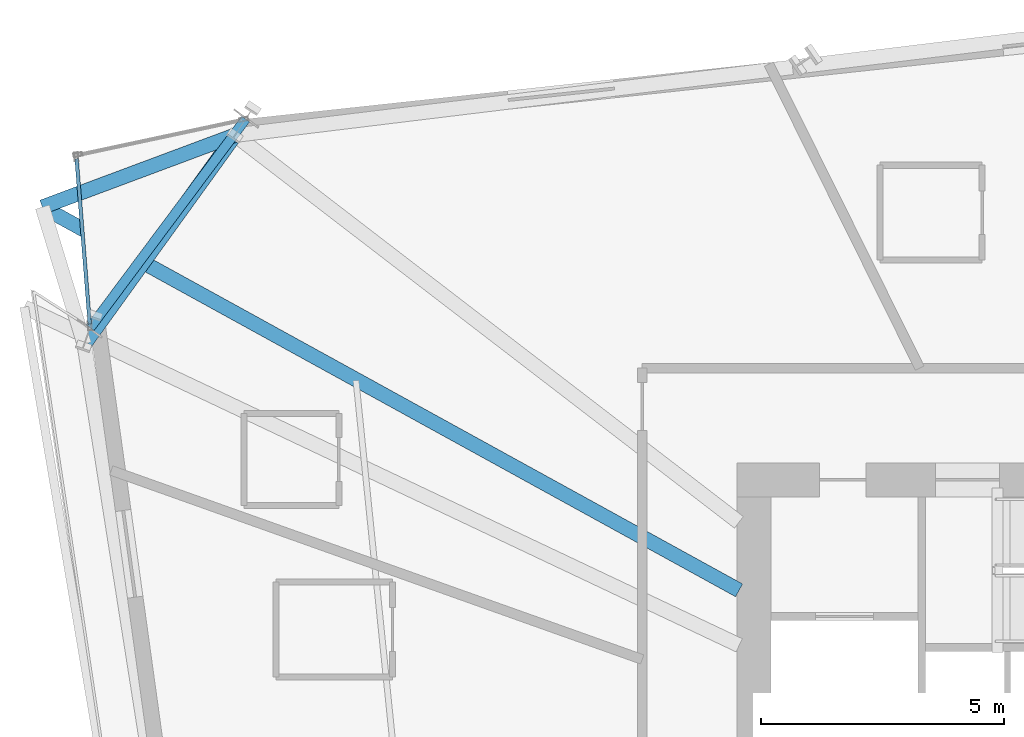
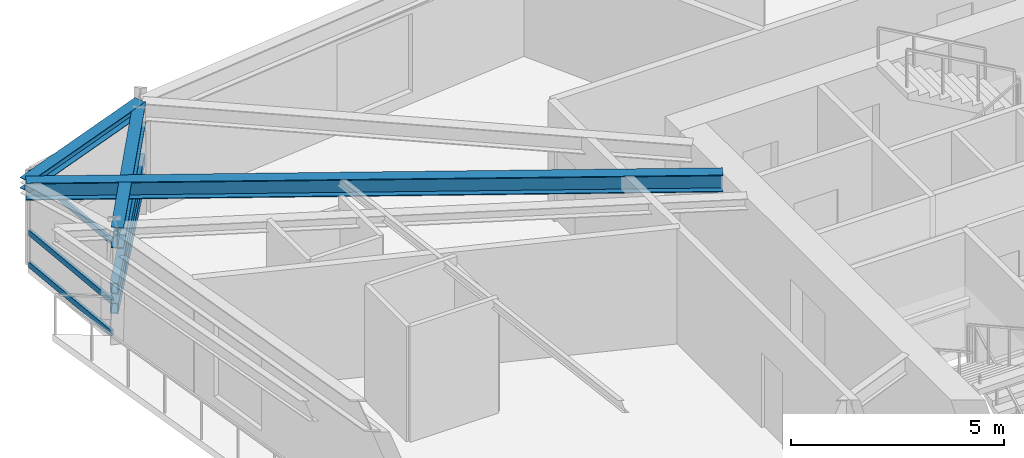
# One storey, part 7 of 18: 5 members, 3 beams, 1 element without a shape of its own.
"""IFC4 building model written with IfcOpenShell, lengths in metres."""

import ifcopenshell
import ifcopenshell.guid

model = None  # the IFC model being written
_history = None  # IfcOwnerHistory: only IFC2X3 demands one
_inside = {}  # id of a spatial element -> (the spatial element, [elements in it])
_under = {}  # id of a project, library or spatial element -> (it, [spatial elements below it])
_declared = {}  # id of a project -> (the project, [libraries it declares])
_typed = {}  # id of a type object -> (the type object, [elements of that type])
_made_of = {}  # id of a material, layer set ... -> (it, [elements and type objects made of it])


def new_model(schema):
    """Start an empty IFC model of exactly this schema.

    Asked for "IFC4X3", IfcOpenShell would pick the latest addendum, in which some entities
    have other attributes; the version numbers below select the first issue.
    IFC2X3 requires an IfcOwnerHistory on every rooted entity: one is made here for all.
    """
    global model, _history
    if schema == "IFC4X3":
        model = ifcopenshell.file(schema_version=(4, 3, 0, 0))
    else:
        model = ifcopenshell.file(schema=schema)
    _inside.clear()
    _under.clear()
    _declared.clear()
    _typed.clear()
    _made_of.clear()
    _history = None
    if model.schema == "IFC2X3":
        org = make("IfcOrganization", Name="unknown")
        user = make(
            "IfcPersonAndOrganization",
            ThePerson=make("IfcPerson", FamilyName="unknown"),
            TheOrganization=org,
        )
        app = make(
            "IfcApplication",
            ApplicationDeveloper=org,
            Version="unknown",
            ApplicationFullName="unknown",
            ApplicationIdentifier="unknown",
        )
        _history = make(
            "IfcOwnerHistory",
            OwningUser=user,
            OwningApplication=app,
            ChangeAction="ADDED",
            CreationDate=0,
        )
    return model


def make(cls, **values):
    """One entity of the class cls with the attributes given. An attribute that is None is left unset."""
    return model.create_entity(
        cls, **{name: value for name, value in values.items() if value is not None}
    )


def rooted(cls, **values):
    """An entity with a GlobalId (a new one), such as an element, a storey or a relation."""
    return make(cls, GlobalId=ifcopenshell.guid.new(), OwnerHistory=_history, **values)


def si_unit(unit_type, name, prefix=None):
    """IfcSIUnit, for example si_unit("LENGTHUNIT", "METRE", prefix="MILLI")."""
    return make("IfcSIUnit", UnitType=unit_type, Prefix=prefix, Name=name)


def assignment(units):
    """IfcUnitAssignment: the units of a project."""
    return None if units is None else make("IfcUnitAssignment", Units=units)


def point(xyz):
    """IfcCartesianPoint."""
    return None if xyz is None else make("IfcCartesianPoint", Coordinates=xyz)


def direction(xyz):
    """IfcDirection."""
    return None if xyz is None else make("IfcDirection", DirectionRatios=xyz)


def frame(location, z_axis=None, x_axis=None):
    """IfcAxis2Placement3D, a coordinate frame: its origin and axes. An axis left out is left unset."""
    return make(
        "IfcAxis2Placement3D",
        Location=point(location),
        Axis=direction(z_axis),
        RefDirection=direction(x_axis),
    )


def frame_2d(location, x_axis=None):
    """IfcAxis2Placement2D, a coordinate frame in the plane: its origin and x axis."""
    return make(
        "IfcAxis2Placement2D", Location=point(location), RefDirection=direction(x_axis)
    )


def origin():
    """The frame at (0, 0, 0) with its axes left unset."""
    return frame((0.0, 0.0, 0.0))


def origin_2d():
    """The frame at (0, 0) in the plane with its x axis left unset."""
    return frame_2d((0.0, 0.0))


def place(relative_to, where):
    """IfcLocalPlacement: puts the frame where relative to a parent placement (None: the world)."""
    return make(
        "IfcLocalPlacement", PlacementRelTo=relative_to, RelativePlacement=where
    )


def context(
    kind, dimensions, precision=None, world=None, true_north=None, identifier=None
):
    """IfcGeometricRepresentationContext, for example the 3D "Model" context."""
    return make(
        "IfcGeometricRepresentationContext",
        ContextIdentifier=identifier,
        ContextType=kind,
        CoordinateSpaceDimension=dimensions,
        Precision=precision,
        WorldCoordinateSystem=world,
        TrueNorth=true_north,
    )


def subcontext(parent, identifier, kind, view, scale=None):
    """IfcGeometricRepresentationSubContext, for example "Body" below "Model"."""
    return make(
        "IfcGeometricRepresentationSubContext",
        ContextIdentifier=identifier,
        ContextType=kind,
        ParentContext=parent,
        TargetScale=scale,
        TargetView=view,
    )


def project(units=None, contexts=None):
    """IfcProject with its units and contexts."""
    return rooted(
        "IfcProject",
        Name="project",
        RepresentationContexts=contexts,
        UnitsInContext=assignment(units),
    )


def spatial(cls, under=None, at=None, **own):
    """A site, building, storey or space (cls), placed at a placement, below another one or the project."""
    s = rooted(cls, ObjectPlacement=at, **own)
    if under is not None:
        _under.setdefault(under.id(), (under, []))[1].append(s)
    return s


def profile(cls, at=None, kind="AREA", **sizes):
    """A parametric profile (cls). Its sizes go by their IFC names, for example OverallWidth=200.0."""
    return make(cls, ProfileType=kind, Position=at, **sizes)


def hollow_rectangle(**sizes):
    """IfcRectangleHollowProfileDef."""
    return profile("IfcRectangleHollowProfileDef", **sizes)


def i_section(**sizes):
    """IfcIShapeProfileDef."""
    return profile("IfcIShapeProfileDef", **sizes)


def extrude(swept, where, along, depth):
    """IfcExtrudedAreaSolid: the profile swept, set in the frame where, extruded along a direction by depth."""
    return make(
        "IfcExtrudedAreaSolid",
        SweptArea=swept,
        Position=where,
        ExtrudedDirection=direction(along),
        Depth=depth,
    )


def shape(context_of_items, identifier, shape_type, items):
    """IfcShapeRepresentation: the items that make up one representation, for example the "Body"."""
    return make(
        "IfcShapeRepresentation",
        ContextOfItems=context_of_items,
        RepresentationIdentifier=identifier,
        RepresentationType=shape_type,
        Items=items,
    )


def source(mapping_origin, context_of_items, identifier, shape_type, items):
    """IfcRepresentationMap: a shape defined once, which mapped items show again and again."""
    return make(
        "IfcRepresentationMap",
        MappingOrigin=mapping_origin,
        MappedRepresentation=shape(context_of_items, identifier, shape_type, items),
    )


def transform(
    local_origin,
    x_axis=None,
    y_axis=None,
    z_axis=None,
    scale=None,
    scale2=None,
    scale3=None,
    uniform=True,
):
    """IfcCartesianTransformationOperator3D, or its non-uniform kind. x_axis, y_axis, z_axis: its Axis1, 2, 3."""
    if uniform:
        return make(
            "IfcCartesianTransformationOperator3D",
            Axis1=direction(x_axis),
            Axis2=direction(y_axis),
            LocalOrigin=point(local_origin),
            Scale=scale,
            Axis3=direction(z_axis),
        )
    return make(
        "IfcCartesianTransformationOperator3DnonUniform",
        Axis1=direction(x_axis),
        Axis2=direction(y_axis),
        LocalOrigin=point(local_origin),
        Scale=scale,
        Axis3=direction(z_axis),
        Scale2=scale2,
        Scale3=scale3,
    )


def mapped(mapping_source, mapping_target):
    """IfcMappedItem: shows the shape of a source again, moved by a transform."""
    return make(
        "IfcMappedItem", MappingSource=mapping_source, MappingTarget=mapping_target
    )


def material(Name=None, Category=None):
    """IfcMaterial."""
    return make("IfcMaterial", Name=Name, Category=Category)


def material_profile(
    of_material, cross_section, Name=None, Category=None, Priority=None
):
    """IfcMaterialProfile: a cross section and its material."""
    return make(
        "IfcMaterialProfile",
        Name=Name,
        Material=of_material,
        Profile=cross_section,
        Priority=Priority,
        Category=Category,
    )


def profile_set(profiles, Name=None, composite=None):
    """IfcMaterialProfileSet."""
    return make(
        "IfcMaterialProfileSet",
        Name=Name,
        MaterialProfiles=profiles,
        CompositeProfile=composite,
    )


def made_of(thing, what):
    """Note that an element or type object is made of a material, layer set ...; save() writes the relation."""
    if what is not None:
        _made_of.setdefault(what.id(), (what, []))[1].append(thing)
    return thing


def type_object(cls, material=None, **own):
    """A type object (cls), such as IfcWallType, which elements share."""
    return made_of(rooted(cls, **own), material)


def element(
    cls,
    number,
    at=None,
    inside=None,
    cuts=None,
    type_object=None,
    material=None,
    context=None,
    identifier="Body",
    shape_type=None,
    held_by="IfcProductDefinitionShape",
    body=None,
    shapes=None,
    **own,
):
    """One element of the class cls, such as IfcWall. Its Tag is "e" and its number.

    at: its placement. inside: the storey or other place that contains it. cuts: it is an
    opening in that element (IfcRelVoidsElement). A single representation is given by context,
    identifier, shape_type and body (its items); several are given by shapes. held_by: the class
    of the entity that holds the representations. save() writes the other relations.
    """
    e = rooted(cls, Tag="e%d" % number, ObjectPlacement=at, **own)
    if body is not None:
        shapes = [shape(context, identifier, shape_type, body)]
    if shapes is not None:
        e.Representation = make(held_by, Representations=shapes)
    if inside is not None:
        _inside.setdefault(inside.id(), (inside, []))[1].append(e)
    if cuts is not None:
        rooted(
            "IfcRelVoidsElement", RelatingBuildingElement=cuts, RelatedOpeningElement=e
        )
    if type_object is not None:
        _typed.setdefault(type_object.id(), (type_object, []))[1].append(e)
    return made_of(e, material)


def aggregate(whole, parts):
    """IfcRelAggregates: a whole, such as a stair, and the parts it consists of."""
    return rooted("IfcRelAggregates", RelatingObject=whole, RelatedObjects=parts)


def save(model, path):
    """Write the relations noted so far, then the file.

    IfcRelAggregates (storeys below a building ...), IfcRelContainedInSpatialStructure (elements
    in a storey), IfcRelDefinesByType, IfcRelAssociatesMaterial and IfcRelDeclares: one each for
    every whole, place, type object, material and project.
    """
    for whole, parts in _under.values():
        aggregate(whole, parts)
    for where, things in _inside.values():
        rooted(
            "IfcRelContainedInSpatialStructure",
            RelatedElements=things,
            RelatingStructure=where,
        )
    for kind, things in _typed.values():
        rooted("IfcRelDefinesByType", RelatedObjects=things, RelatingType=kind)
    for what, things in _made_of.values():
        rooted("IfcRelAssociatesMaterial", RelatedObjects=things, RelatingMaterial=what)
    for by, libraries in _declared.values():
        rooted("IfcRelDeclares", RelatingContext=by, RelatedDefinitions=libraries)
    model.write(path)


model = new_model("IFC4")

# Units and contexts
model_context = context("Model", 3, precision=1e-05, world=origin(), true_north=direction((0.0, 1.0)))
body_context = subcontext(model_context, "Body", "Model", "MODEL_VIEW")
ifc_project = project(units=[si_unit("LENGTHUNIT", "METRE"), si_unit("AREAUNIT", "SQUARE_METRE"), si_unit("VOLUMEUNIT", "CUBIC_METRE"), si_unit("PLANEANGLEUNIT", "RADIAN"), si_unit("MASSUNIT", "GRAM", prefix="KILO")], contexts=[model_context])

# Site, building, storey
site_placement = place(None, origin())
site = spatial("IfcSite", under=ifc_project, at=site_placement, CompositionType="ELEMENT")
building_placement = place(site_placement, origin())
building = spatial("IfcBuilding", under=site, at=building_placement, Name="Olszyna Solenne Hotel", CompositionType="ELEMENT")
storey_placement = place(building_placement, frame((0.0, 0.0, 119.89990234375)))
storey = spatial("IfcBuildingStorey", under=building, at=storey_placement, Name="L31", CompositionType="ELEMENT", Elevation=119.89990234375)

# Beams
ifc_material_1 = material(Name="Steel S355J2", Category="steel")
ifc_material_profile_1 = material_profile(ifc_material_1, i_section(OverallWidth=0.300048828125, OverallDepth=0.60009765625, WebThickness=0.015380859375, FlangeThickness=0.030029296875, at=origin_2d()), Name="HEB 600", Category="load-bearing")
ifc_profile_set_1 = profile_set([ifc_material_profile_1], Name="Steel S355J2")
beam_type_1 = type_object("IfcBeamType", Name="BM-S2", PredefinedType="BEAM", material=ifc_profile_set_1)
shared_shape_1 = source(origin(), body_context, "Body", "SweptSolid", [
    extrude(i_section(OverallWidth=0.300048828125, OverallDepth=0.60009765625, WebThickness=0.015380859375, FlangeThickness=0.030029296875, at=origin_2d()), origin(), (0.0, 0.0, 1.0), 5.183837890625),
])
beam_1_placement = place(storey_placement, frame((19.0380859375, 41.094970703125, 3.0), z_axis=(-0.584929849651, -0.811083886529, 0.0), x_axis=(0.811083886529, -0.584929849651, 0.0)))
element("IfcBeam", 1, at=beam_1_placement, inside=storey, type_object=beam_type_1, Name="Perimeter spandrel beam BM-S2 B-L31-0931", PredefinedType="BEAM", context=body_context, shape_type="MappedRepresentation", body=[
    mapped(shared_shape_1, transform((0.0, 0.0, 0.0), x_axis=(1.0, 0.0, 0.0), y_axis=(0.0, 1.0, 0.0), z_axis=(0.0, 0.0, 1.0), scale=1.0)),
])
ifc_material_profile_2 = material_profile(ifc_material_1, i_section(OverallWidth=0.300048828125, OverallDepth=0.489990234375, WebThickness=0.011962890625, FlangeThickness=0.02294921875, at=origin_2d()), Name="HEA 500", Category="load-bearing")
ifc_profile_set_2 = profile_set([ifc_material_profile_2], Name="Steel S355J2")
beam_type_2 = type_object("IfcBeamType", Name="BM-G1", PredefinedType="BEAM", material=ifc_profile_set_2)
shared_shape_2 = source(origin(), body_context, "Body", "SweptSolid", [
    extrude(i_section(OverallWidth=0.300048828125, OverallDepth=0.489990234375, WebThickness=0.011962890625, FlangeThickness=0.02294921875, at=origin_2d()), origin(), (0.0, 0.0, 1.0), 16.33984375),
])
beam_2_placement = place(storey_placement, frame((15.126953125, 39.6552734375, 3.05517578125), z_axis=(0.876139555518, -0.48205754766, 0.0), x_axis=(0.48205754766, 0.876139555518, 0.0)))
element("IfcBeam", 2, at=beam_2_placement, inside=storey, type_object=beam_type_2, Name="Radial floor girder BM-G1 B-L31-0943", PredefinedType="BEAM", context=body_context, shape_type="MappedRepresentation", body=[
    mapped(shared_shape_2, transform((0.0, 0.0, 0.0), x_axis=(1.0, 0.0, 0.0), y_axis=(0.0, 1.0, 0.0), z_axis=(0.0, 0.0, 1.0), scale=1.0)),
])
ifc_material_profile_3 = material_profile(ifc_material_1, i_section(OverallWidth=0.300048828125, OverallDepth=0.31005859375, WebThickness=0.009033203125, FlangeThickness=0.015380859375, at=origin_2d()), Name="HEA 320", Category="load-bearing")
ifc_profile_set_3 = profile_set([ifc_material_profile_3], Name="Steel S355J2")
beam_type_3 = type_object("IfcBeamType", Name="BM-G3", PredefinedType="BEAM", material=ifc_profile_set_3)
shared_shape_3 = source(origin(), body_context, "Body", "SweptSolid", [
    extrude(i_section(OverallWidth=0.300048828125, OverallDepth=0.31005859375, WebThickness=0.009033203125, FlangeThickness=0.015380859375, at=origin_2d()), origin(), (0.0, 0.0, 1.0), 4.230712890625),
])
beam_3_placement = place(storey_placement, frame((19.0732421875, 41.143798828125, 3.14501953125), z_axis=(-0.936906542146, -0.349579935472, 0.0), x_axis=(0.349579935472, -0.936906542146, 0.0)))
element("IfcBeam", 3, at=beam_3_placement, inside=storey, type_object=beam_type_3, Name="Prism side edge beam BM-G3 B-L31-0948", PredefinedType="BEAM", context=body_context, shape_type="MappedRepresentation", body=[
    mapped(shared_shape_3, transform((0.0, 0.0, 0.0), x_axis=(1.0, 0.0, 0.0), y_axis=(0.0, 1.0, 0.0), z_axis=(0.0, 0.0, 1.0), scale=1.0)),
])

# Members
ifc_material_profile_4 = material_profile(ifc_material_1, hollow_rectangle(XDim=0.199951171875, YDim=0.300048828125, WallThickness=0.01611328125, at=origin_2d()), Name="RHS 300x200x16", Category="load-bearing")
ifc_profile_set_4 = profile_set([ifc_material_profile_4], Name="Steel S355J2")
member_type_1 = type_object("IfcMemberType", Name="CH-PR1", PredefinedType="CHORD", material=ifc_profile_set_4)
shared_shape_4 = source(origin(), body_context, "Body", "SweptSolid", [
    extrude(hollow_rectangle(XDim=0.199951171875, YDim=0.300048828125, WallThickness=0.01611328125, at=origin_2d()), origin(), (0.0, 0.0, 1.0), 5.357177734375),
])
for number, where, z_axis, x_axis, name in (
    (4, (19.29150390625, 41.4755859375, 1.35009765625), (-0.597591062523, -0.801801048885, 0.0), (0.801801048885, -0.597591062523, 0.0), "Glass-prism tie chord CH-PR1 M-L31-PR1"),
    (5, (19.29150390625, 41.4755859375, 0.780029296875), (-0.597591062523, -0.801801048885, 0.0), (0.801801048885, -0.597591062523, 0.0), "Glass-prism tie chord CH-PR1 M-L31-PR2"),
):
    element("IfcMember", number, at=place(storey_placement, frame(where, z_axis=z_axis, x_axis=x_axis)), inside=storey, type_object=member_type_1, Name=name, PredefinedType="CHORD", context=body_context, shape_type="MappedRepresentation", body=[
        mapped(shared_shape_4, transform((0.0, 0.0, 0.0), x_axis=(1.0, 0.0, 0.0), y_axis=(0.0, 1.0, 0.0), z_axis=(0.0, 0.0, 1.0), scale=1.0)),
    ])

# Curtain wall, members
ifc_material_2 = material(Name="Anodised bronze aluminium", Category="aluminium")
curtain_wall_type = type_object("IfcCurtainWallType", Name="CW-SYS-5", PredefinedType="NOTDEFINED", material=ifc_material_2)
curtain_wall_placement = place(storey_placement, origin())
curtain_wall = element("IfcCurtainWall", 6, at=curtain_wall_placement, inside=storey, type_object=curtain_wall_type, Name="Unitised curtain wall CW-SYS-5 CW-L31-02", PredefinedType="NOTDEFINED")
ifc_material_profile_5 = material_profile(ifc_material_2, hollow_rectangle(XDim=0.074951171875, YDim=0.159912109375, WallThickness=0.00390625, at=origin_2d()), Name="TRAN 160x75x4", Category="load-bearing")
ifc_profile_set_5 = profile_set([ifc_material_profile_5], Name="Anodised bronze aluminium")
member_type_2 = type_object("IfcMemberType", Name="CW-T1", PredefinedType="USERDEFINED", material=ifc_profile_set_5)
shared_shape_5 = source(origin(), body_context, "Body", "SweptSolid", [
    extrude(hollow_rectangle(XDim=0.074951171875, YDim=0.159912109375, WallThickness=0.00390625, at=origin_2d()), origin(), (0.0, 0.0, 1.0), 3.413330078125),
])
member_1_placement = place(storey_placement, frame((15.8125, 40.657470703125, 0.03759765625), z_axis=(0.079534855359, -0.996832085551, 0.0), x_axis=(0.996832085551, 0.079534855359, 0.0)))
member_1 = element("IfcMember", 7, at=member_1_placement, type_object=member_type_2, Name="Curtain-wall transom CW-T1 CT-L31-02-01", ObjectType="TRANSOM", PredefinedType="USERDEFINED", context=body_context, shape_type="MappedRepresentation", body=[
    mapped(shared_shape_5, transform((0.0, 0.0, 0.0), x_axis=(1.0, 0.0, 0.0), y_axis=(0.0, 1.0, 0.0), z_axis=(0.0, 0.0, 1.0), scale=1.0)),
])
member_2_placement = place(storey_placement, frame((15.8125, 40.657470703125, 0.9501953125), z_axis=(0.079534855359, -0.996832085551, 0.0), x_axis=(0.996832085551, 0.079534855359, 0.0)))
member_2 = element("IfcMember", 8, at=member_2_placement, type_object=member_type_2, Name="Curtain-wall transom CW-T1 CT-L31-02-02", ObjectType="TRANSOM", PredefinedType="USERDEFINED", context=body_context, shape_type="MappedRepresentation", body=[
    mapped(shared_shape_5, transform((0.0, 0.0, 0.0), x_axis=(1.0, 0.0, 0.0), y_axis=(0.0, 1.0, 0.0), z_axis=(0.0, 0.0, 1.0), scale=1.0)),
])
member_3_placement = place(storey_placement, frame((15.8125, 40.657470703125, 2.654541015625), z_axis=(0.079534855359, -0.996832085551, 0.0), x_axis=(0.996832085551, 0.079534855359, 0.0)))
member_3 = element("IfcMember", 9, at=member_3_placement, type_object=member_type_2, Name="Curtain-wall transom CW-T1 CT-L31-02-03", ObjectType="TRANSOM", PredefinedType="USERDEFINED", context=body_context, shape_type="MappedRepresentation", body=[
    mapped(shared_shape_5, transform((0.0, 0.0, 0.0), x_axis=(1.0, 0.0, 0.0), y_axis=(0.0, 1.0, 0.0), z_axis=(0.0, 0.0, 1.0), scale=1.0)),
])
aggregate(curtain_wall, [member_1, member_2, member_3])

save(model, "model.ifc")
